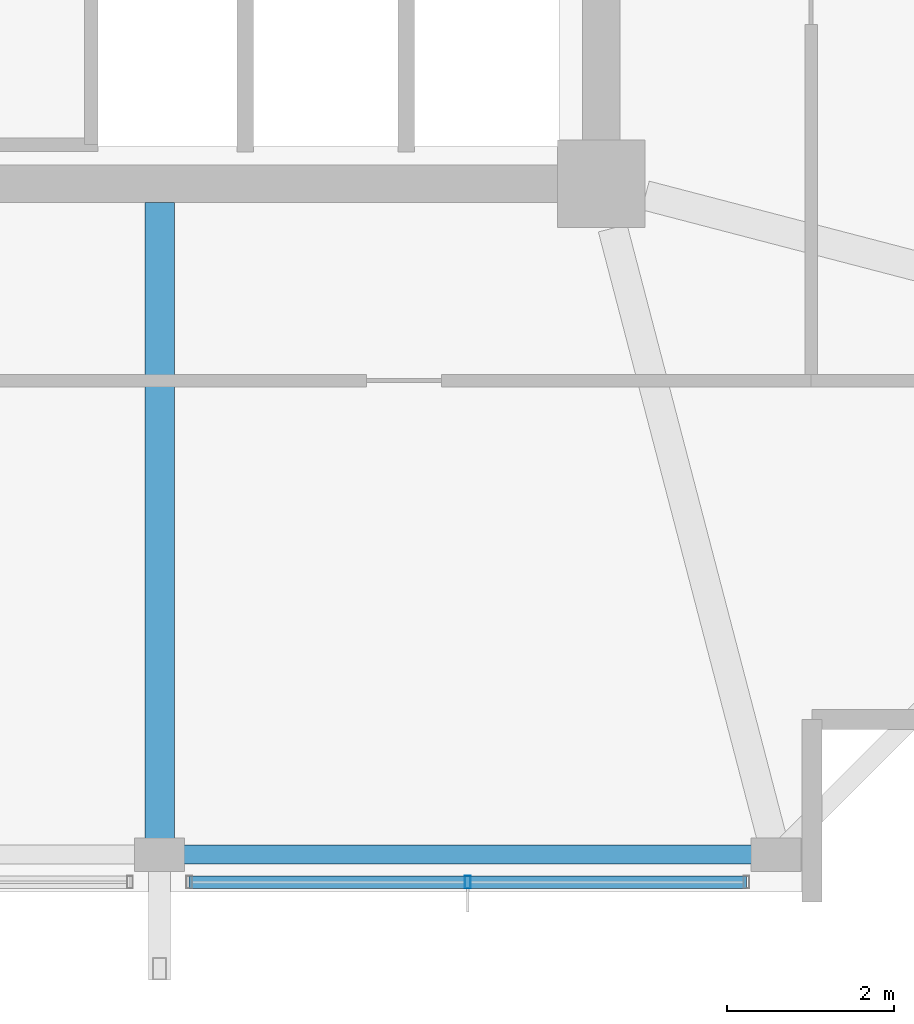
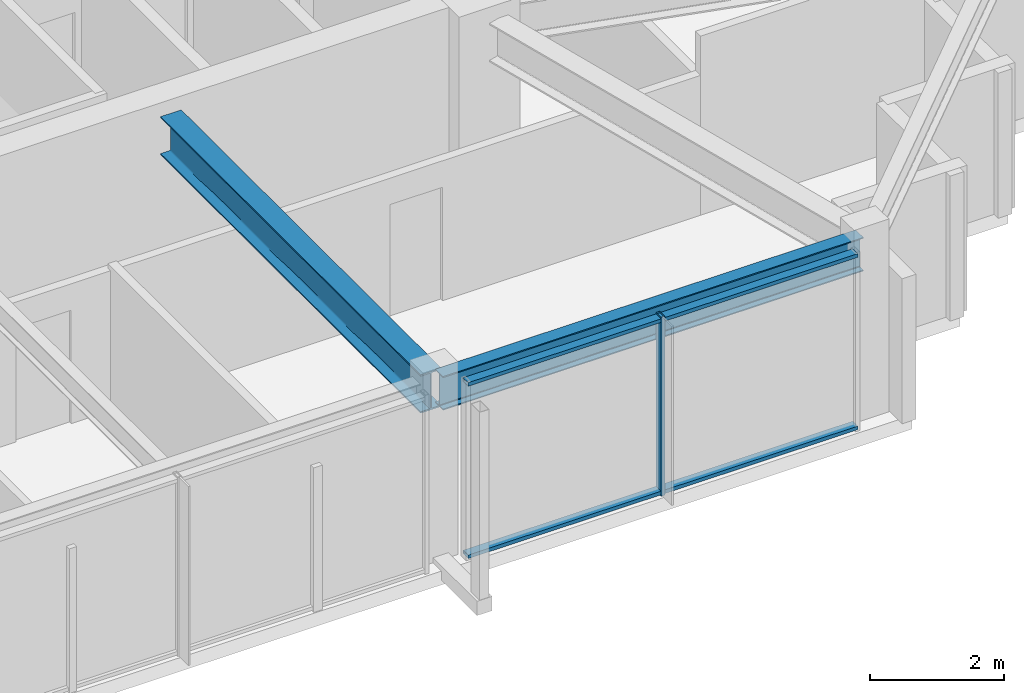
# One storey, part 6 of 31: 3 members, 2 beams, 1 element without a shape of its own.
"""IFC4 building model written with IfcOpenShell, lengths in metres."""

from ifc_helpers import new_model, si_unit, direction, frame, origin, origin_2d, place, context, subcontext, project, spatial, hollow_rectangle, i_section, extrude, material, material_profile, profile_set, type_object, element, aggregate, save


model = new_model("IFC4")

# Units and contexts
model_context = context("Model", 3, precision=1e-05, world=origin(), true_north=direction((0.0, 1.0)))
body_context = subcontext(model_context, "Body", "Model", "MODEL_VIEW")
ifc_project = project(units=[si_unit("LENGTHUNIT", "METRE"), si_unit("AREAUNIT", "SQUARE_METRE"), si_unit("VOLUMEUNIT", "CUBIC_METRE"), si_unit("PLANEANGLEUNIT", "RADIAN"), si_unit("MASSUNIT", "GRAM", prefix="KILO")], contexts=[model_context])

# Site, building, storey
site_placement = place(None, origin())
site = spatial("IfcSite", under=ifc_project, at=site_placement, CompositionType="ELEMENT")
building_placement = place(site_placement, origin())
building = spatial("IfcBuilding", under=site, at=building_placement, Name="Kolvaren Belvedere", CompositionType="ELEMENT")
storey_placement = place(building_placement, frame((0.0, 0.0, 251.39990234375)))
storey = spatial("IfcBuildingStorey", under=building, at=storey_placement, Name="L73", CompositionType="ELEMENT", Elevation=251.39990234375)

# Beams
ifc_material_1 = material(Name="Structural steel ASTM A992 Grade 50", Category="steel")
ifc_material_profile_1 = material_profile(ifc_material_1, i_section(OverallWidth=0.35498046875, OverallDepth=0.696044921875, WebThickness=0.015380859375, FlangeThickness=0.02490234375, FilletRadius=0.02197265625, at=origin_2d()), Name="W27X146")
ifc_profile_set_1 = profile_set([ifc_material_profile_1], Name="Structural steel ASTM A992 Grade 50")
beam_type_1 = type_object("IfcBeamType", Name="BM-GIRD-W27X146", PredefinedType="BEAM", material=ifc_profile_set_1)
beam_1_placement = place(storey_placement, frame((4.60009765625, -10.125, 2.902099609375), z_axis=(0.0, -1.0, 0.0), x_axis=(1.0, 0.0, 0.0)))
element("IfcBeam", 1, at=beam_1_placement, inside=storey, type_object=beam_type_1, Name="L73 South Radial Girder P", PredefinedType="BEAM", context=body_context, shape_type="SweptSolid", body=[
    extrude(i_section(OverallWidth=0.35498046875, OverallDepth=0.696044921875, WebThickness=0.015380859375, FlangeThickness=0.02490234375, FilletRadius=0.02197265625, at=origin_2d()), origin(), (0.0, 0.0, 1.0), 7.735107421875),
])
ifc_material_2 = material(Name="Structural steel ASTM A992 Grade 50", Category="steel")
ifc_material_profile_2 = material_profile(ifc_material_2, i_section(OverallWidth=0.22900390625, OverallDepth=0.612060546875, WebThickness=0.011962890625, FlangeThickness=0.01953125, FilletRadius=0.01806640625, at=origin_2d()), Name="W24X84")
ifc_profile_set_2 = profile_set([ifc_material_profile_2], Name="Structural steel ASTM A992 Grade 50")
beam_type_2 = type_object("IfcBeamType", Name="BM-SPAN-W24X84", PredefinedType="SPANDREL", material=ifc_profile_set_2)
beam_2_placement = place(storey_placement, frame((4.68994140625, -17.949951171875, 2.944091796875), z_axis=(1.0, 0.0, 0.0), x_axis=(0.0, 1.0, 0.0)))
element("IfcBeam", 2, at=beam_2_placement, inside=storey, type_object=beam_type_2, Name="L73 Perimeter Spandrel S3-S4", PredefinedType="SPANDREL", context=body_context, shape_type="SweptSolid", body=[
    extrude(i_section(OverallWidth=0.22900390625, OverallDepth=0.612060546875, WebThickness=0.011962890625, FlangeThickness=0.01953125, FilletRadius=0.01806640625, at=origin_2d()), origin(), (0.0, 0.0, 1.0), 7.219970703125),
])

# Curtain wall, members
ifc_material_3 = material(Name="Anodised pale-metal aluminium AA 6063-T6", Category="aluminium")
curtain_wall_type = type_object("IfcCurtainWallType", Name="CW-Z5-HIGH", PredefinedType="NOTDEFINED", material=ifc_material_3)
curtain_wall_placement = place(storey_placement, origin())
curtain_wall = element("IfcCurtainWall", 3, at=curtain_wall_placement, inside=storey, type_object=curtain_wall_type, Name="L73 Unitised Curtain Wall FCW-L73-S-B1", PredefinedType="NOTDEFINED")
ifc_material_4 = material(Name="Anodised pale-metal aluminium AA 6063-T6", Category="aluminium")
ifc_material_profile_3 = material_profile(ifc_material_4, hollow_rectangle(XDim=0.070068359375, YDim=0.14990234375, WallThickness=0.004150390625, at=origin_2d()), Name="ALU-MUL-150X70")
ifc_profile_set_3 = profile_set([ifc_material_profile_3], Name="Anodised pale-metal aluminium AA 6063-T6")
member_type_1 = type_object("IfcMemberType", Name="CW-MUL-150", PredefinedType="MULLION", material=ifc_profile_set_3)
member_1_placement = place(storey_placement, frame((8.300048828125, -18.280029296875, 0.0), z_axis=(0.0, 0.0, 1.0), x_axis=(1.0, 0.0, 0.0)))
member_1 = element("IfcMember", 4, at=member_1_placement, type_object=member_type_1, Name="FCW-L73-S-B1 Unitised Mullion 2", PredefinedType="MULLION", context=body_context, shape_type="SweptSolid", body=[
    extrude(hollow_rectangle(XDim=0.070068359375, YDim=0.14990234375, WallThickness=0.004150390625, at=origin_2d()), origin(), (0.0, 0.0, 1.0), 3.25),
])
ifc_material_5 = material(Name="Anodised pale-metal aluminium AA 6063-T6", Category="aluminium")
ifc_material_profile_4 = material_profile(ifc_material_5, hollow_rectangle(XDim=0.06494140625, YDim=0.14990234375, WallThickness=0.00390625, at=origin_2d()), Name="ALU-TRN-150X65")
ifc_profile_set_4 = profile_set([ifc_material_profile_4], Name="Anodised pale-metal aluminium AA 6063-T6")
member_type_2 = type_object("IfcMemberType", Name="CW-TRN-150", PredefinedType="USERDEFINED", material=ifc_profile_set_4)
member_2_placement = place(storey_placement, frame((11.64501953125, -18.280029296875, 0.06005859375), z_axis=(-1.0, 0.0, 0.0), x_axis=(0.0, 0.0, 1.0)))
member_2 = element("IfcMember", 5, at=member_2_placement, type_object=member_type_2, Name="FCW-L73-S-B1 Sill Transom", ObjectType="TRANSOM", PredefinedType="USERDEFINED", context=body_context, shape_type="SweptSolid", body=[
    extrude(hollow_rectangle(XDim=0.06494140625, YDim=0.14990234375, WallThickness=0.00390625, at=origin_2d()), origin(), (0.0, 0.0, 1.0), 6.68994140625),
])
member_3_placement = place(storey_placement, frame((11.64501953125, -18.280029296875, 3.190185546875), z_axis=(-1.0, 0.0, 0.0), x_axis=(0.0, 0.0, 1.0)))
member_3 = element("IfcMember", 6, at=member_3_placement, type_object=member_type_2, Name="FCW-L73-S-B1 Head Transom", ObjectType="TRANSOM", PredefinedType="USERDEFINED", context=body_context, shape_type="SweptSolid", body=[
    extrude(hollow_rectangle(XDim=0.06494140625, YDim=0.14990234375, WallThickness=0.00390625, at=origin_2d()), origin(), (0.0, 0.0, 1.0), 6.68994140625),
])
aggregate(curtain_wall, [member_1, member_2, member_3])

save(model, "model.ifc")
